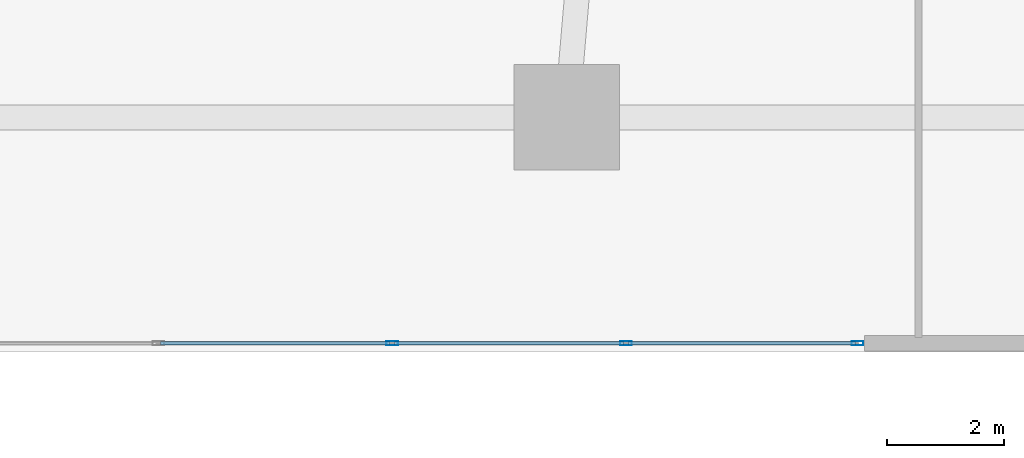
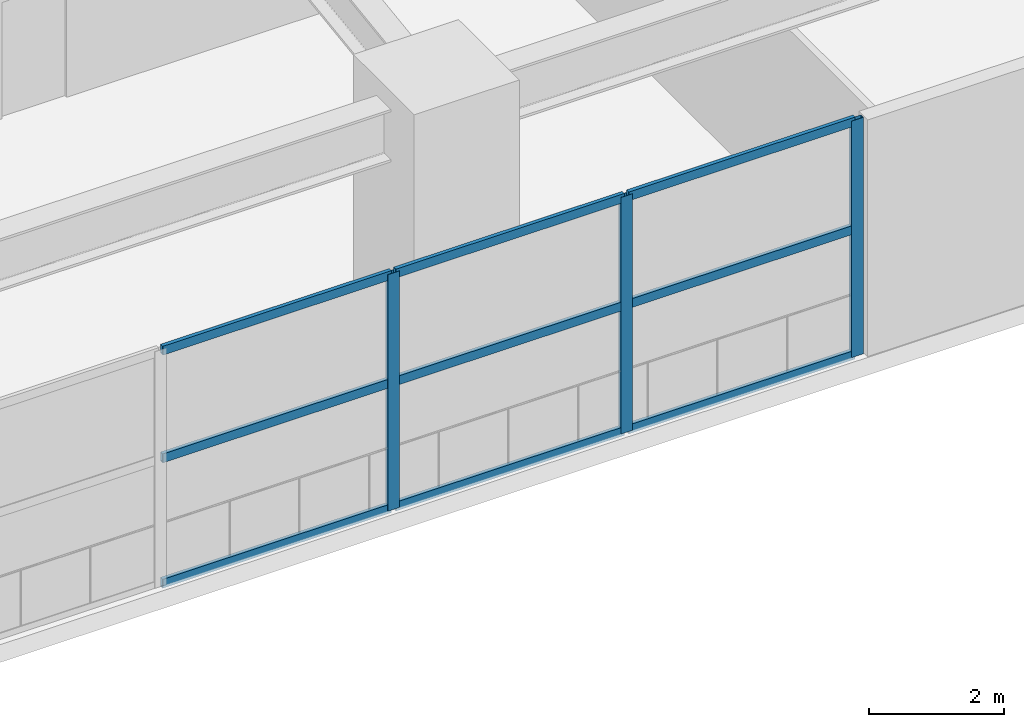
# One storey, part 5 of 25: 12 members, 1 element without a shape of its own.
"""IFC4 building model written with IfcOpenShell, lengths in metres."""

import ifcopenshell
import ifcopenshell.guid

model = None  # the IFC model being written
_history = None  # IfcOwnerHistory: only IFC2X3 demands one
_inside = {}  # id of a spatial element -> (the spatial element, [elements in it])
_under = {}  # id of a project, library or spatial element -> (it, [spatial elements below it])
_declared = {}  # id of a project -> (the project, [libraries it declares])
_typed = {}  # id of a type object -> (the type object, [elements of that type])
_made_of = {}  # id of a material, layer set ... -> (it, [elements and type objects made of it])


def new_model(schema):
    """Start an empty IFC model of exactly this schema.

    Asked for "IFC4X3", IfcOpenShell would pick the latest addendum, in which some entities
    have other attributes; the version numbers below select the first issue.
    IFC2X3 requires an IfcOwnerHistory on every rooted entity: one is made here for all.
    """
    global model, _history
    if schema == "IFC4X3":
        model = ifcopenshell.file(schema_version=(4, 3, 0, 0))
    else:
        model = ifcopenshell.file(schema=schema)
    _inside.clear()
    _under.clear()
    _declared.clear()
    _typed.clear()
    _made_of.clear()
    _history = None
    if model.schema == "IFC2X3":
        org = make("IfcOrganization", Name="unknown")
        user = make(
            "IfcPersonAndOrganization",
            ThePerson=make("IfcPerson", FamilyName="unknown"),
            TheOrganization=org,
        )
        app = make(
            "IfcApplication",
            ApplicationDeveloper=org,
            Version="unknown",
            ApplicationFullName="unknown",
            ApplicationIdentifier="unknown",
        )
        _history = make(
            "IfcOwnerHistory",
            OwningUser=user,
            OwningApplication=app,
            ChangeAction="ADDED",
            CreationDate=0,
        )
    return model


def make(cls, **values):
    """One entity of the class cls with the attributes given. An attribute that is None is left unset."""
    return model.create_entity(
        cls, **{name: value for name, value in values.items() if value is not None}
    )


def rooted(cls, **values):
    """An entity with a GlobalId (a new one), such as an element, a storey or a relation."""
    return make(cls, GlobalId=ifcopenshell.guid.new(), OwnerHistory=_history, **values)


def si_unit(unit_type, name, prefix=None):
    """IfcSIUnit, for example si_unit("LENGTHUNIT", "METRE", prefix="MILLI")."""
    return make("IfcSIUnit", UnitType=unit_type, Prefix=prefix, Name=name)


def assignment(units):
    """IfcUnitAssignment: the units of a project."""
    return None if units is None else make("IfcUnitAssignment", Units=units)


def point(xyz):
    """IfcCartesianPoint."""
    return None if xyz is None else make("IfcCartesianPoint", Coordinates=xyz)


def direction(xyz):
    """IfcDirection."""
    return None if xyz is None else make("IfcDirection", DirectionRatios=xyz)


def frame(location, z_axis=None, x_axis=None):
    """IfcAxis2Placement3D, a coordinate frame: its origin and axes. An axis left out is left unset."""
    return make(
        "IfcAxis2Placement3D",
        Location=point(location),
        Axis=direction(z_axis),
        RefDirection=direction(x_axis),
    )


def frame_2d(location, x_axis=None):
    """IfcAxis2Placement2D, a coordinate frame in the plane: its origin and x axis."""
    return make(
        "IfcAxis2Placement2D", Location=point(location), RefDirection=direction(x_axis)
    )


def origin():
    """The frame at (0, 0, 0) with its axes left unset."""
    return frame((0.0, 0.0, 0.0))


def origin_2d():
    """The frame at (0, 0) in the plane with its x axis left unset."""
    return frame_2d((0.0, 0.0))


def place(relative_to, where):
    """IfcLocalPlacement: puts the frame where relative to a parent placement (None: the world)."""
    return make(
        "IfcLocalPlacement", PlacementRelTo=relative_to, RelativePlacement=where
    )


def context(
    kind, dimensions, precision=None, world=None, true_north=None, identifier=None
):
    """IfcGeometricRepresentationContext, for example the 3D "Model" context."""
    return make(
        "IfcGeometricRepresentationContext",
        ContextIdentifier=identifier,
        ContextType=kind,
        CoordinateSpaceDimension=dimensions,
        Precision=precision,
        WorldCoordinateSystem=world,
        TrueNorth=true_north,
    )


def subcontext(parent, identifier, kind, view, scale=None):
    """IfcGeometricRepresentationSubContext, for example "Body" below "Model"."""
    return make(
        "IfcGeometricRepresentationSubContext",
        ContextIdentifier=identifier,
        ContextType=kind,
        ParentContext=parent,
        TargetScale=scale,
        TargetView=view,
    )


def project(units=None, contexts=None):
    """IfcProject with its units and contexts."""
    return rooted(
        "IfcProject",
        Name="project",
        RepresentationContexts=contexts,
        UnitsInContext=assignment(units),
    )


def spatial(cls, under=None, at=None, **own):
    """A site, building, storey or space (cls), placed at a placement, below another one or the project."""
    s = rooted(cls, ObjectPlacement=at, **own)
    if under is not None:
        _under.setdefault(under.id(), (under, []))[1].append(s)
    return s


def profile(cls, at=None, kind="AREA", **sizes):
    """A parametric profile (cls). Its sizes go by their IFC names, for example OverallWidth=200.0."""
    return make(cls, ProfileType=kind, Position=at, **sizes)


def hollow_rectangle(**sizes):
    """IfcRectangleHollowProfileDef."""
    return profile("IfcRectangleHollowProfileDef", **sizes)


def extrude(swept, where, along, depth):
    """IfcExtrudedAreaSolid: the profile swept, set in the frame where, extruded along a direction by depth."""
    return make(
        "IfcExtrudedAreaSolid",
        SweptArea=swept,
        Position=where,
        ExtrudedDirection=direction(along),
        Depth=depth,
    )


def shape(context_of_items, identifier, shape_type, items):
    """IfcShapeRepresentation: the items that make up one representation, for example the "Body"."""
    return make(
        "IfcShapeRepresentation",
        ContextOfItems=context_of_items,
        RepresentationIdentifier=identifier,
        RepresentationType=shape_type,
        Items=items,
    )


def material(Name=None, Category=None):
    """IfcMaterial."""
    return make("IfcMaterial", Name=Name, Category=Category)


def layer(
    of_material, thickness, ventilated=None, Name=None, Category=None, Priority=None
):
    """IfcMaterialLayer: one layer of a wall or slab, of a material (None: an air gap)."""
    return make(
        "IfcMaterialLayer",
        Material=of_material,
        LayerThickness=thickness,
        IsVentilated=ventilated,
        Name=Name,
        Category=Category,
        Priority=Priority,
    )


def layer_set(layers, Name=None):
    """IfcMaterialLayerSet."""
    return make("IfcMaterialLayerSet", MaterialLayers=layers, LayerSetName=Name)


def material_profile(
    of_material, cross_section, Name=None, Category=None, Priority=None
):
    """IfcMaterialProfile: a cross section and its material."""
    return make(
        "IfcMaterialProfile",
        Name=Name,
        Material=of_material,
        Profile=cross_section,
        Priority=Priority,
        Category=Category,
    )


def profile_set(profiles, Name=None, composite=None):
    """IfcMaterialProfileSet."""
    return make(
        "IfcMaterialProfileSet",
        Name=Name,
        MaterialProfiles=profiles,
        CompositeProfile=composite,
    )


def made_of(thing, what):
    """Note that an element or type object is made of a material, layer set ...; save() writes the relation."""
    if what is not None:
        _made_of.setdefault(what.id(), (what, []))[1].append(thing)
    return thing


def type_object(cls, material=None, **own):
    """A type object (cls), such as IfcWallType, which elements share."""
    return made_of(rooted(cls, **own), material)


def element(
    cls,
    number,
    at=None,
    inside=None,
    cuts=None,
    type_object=None,
    material=None,
    context=None,
    identifier="Body",
    shape_type=None,
    held_by="IfcProductDefinitionShape",
    body=None,
    shapes=None,
    **own,
):
    """One element of the class cls, such as IfcWall. Its Tag is "e" and its number.

    at: its placement. inside: the storey or other place that contains it. cuts: it is an
    opening in that element (IfcRelVoidsElement). A single representation is given by context,
    identifier, shape_type and body (its items); several are given by shapes. held_by: the class
    of the entity that holds the representations. save() writes the other relations.
    """
    e = rooted(cls, Tag="e%d" % number, ObjectPlacement=at, **own)
    if body is not None:
        shapes = [shape(context, identifier, shape_type, body)]
    if shapes is not None:
        e.Representation = make(held_by, Representations=shapes)
    if inside is not None:
        _inside.setdefault(inside.id(), (inside, []))[1].append(e)
    if cuts is not None:
        rooted(
            "IfcRelVoidsElement", RelatingBuildingElement=cuts, RelatedOpeningElement=e
        )
    if type_object is not None:
        _typed.setdefault(type_object.id(), (type_object, []))[1].append(e)
    return made_of(e, material)


def aggregate(whole, parts):
    """IfcRelAggregates: a whole, such as a stair, and the parts it consists of."""
    return rooted("IfcRelAggregates", RelatingObject=whole, RelatedObjects=parts)


def save(model, path):
    """Write the relations noted so far, then the file.

    IfcRelAggregates (storeys below a building ...), IfcRelContainedInSpatialStructure (elements
    in a storey), IfcRelDefinesByType, IfcRelAssociatesMaterial and IfcRelDeclares: one each for
    every whole, place, type object, material and project.
    """
    for whole, parts in _under.values():
        aggregate(whole, parts)
    for where, things in _inside.values():
        rooted(
            "IfcRelContainedInSpatialStructure",
            RelatedElements=things,
            RelatingStructure=where,
        )
    for kind, things in _typed.values():
        rooted("IfcRelDefinesByType", RelatedObjects=things, RelatingType=kind)
    for what, things in _made_of.values():
        rooted("IfcRelAssociatesMaterial", RelatedObjects=things, RelatingMaterial=what)
    for by, libraries in _declared.values():
        rooted("IfcRelDeclares", RelatingContext=by, RelatedDefinitions=libraries)
    model.write(path)


model = new_model("IFC4")

# Units and contexts
model_context = context("Model", 3, precision=1e-05, world=origin(), true_north=direction((0.0, 1.0)))
body_context = subcontext(model_context, "Body", "Model", "MODEL_VIEW")
ifc_project = project(units=[si_unit("LENGTHUNIT", "METRE"), si_unit("AREAUNIT", "SQUARE_METRE"), si_unit("VOLUMEUNIT", "CUBIC_METRE"), si_unit("PLANEANGLEUNIT", "RADIAN"), si_unit("MASSUNIT", "GRAM", prefix="KILO")], contexts=[model_context])

# Site, building, storey
site_placement = place(None, origin())
site = spatial("IfcSite", under=ifc_project, at=site_placement, CompositionType="ELEMENT")
building_placement = place(site_placement, origin())
building = spatial("IfcBuilding", under=site, at=building_placement, Name="Solvane Sanctuary Tower", CompositionType="ELEMENT")
storey_placement = place(building_placement, frame((0.0, 0.0, 13.800048828125)))
storey = spatial("IfcBuildingStorey", under=building, at=storey_placement, Name="L04", CompositionType="ELEMENT", Elevation=13.800048828125)

# Curtain wall, members
ifc_material = material(Name="Anodised Aluminium 6063-T6", Category="aluminium")
ifc_layer = layer(ifc_material, 0.159912109375, Name="Anodised Aluminium 6063-T6")
ifc_layer_set = layer_set([ifc_layer], Name="Anodised Aluminium 6063-T6")
curtain_wall_type = type_object("IfcCurtainWallType", Name="Curtain Wall CW-POD", PredefinedType="NOTDEFINED", material=ifc_layer_set)
curtain_wall_placement = place(storey_placement, origin())
curtain_wall = element("IfcCurtainWall", 1, at=curtain_wall_placement, inside=storey, type_object=curtain_wall_type, Name="L04 Sanctuary Curtain Wall S2", PredefinedType="NOTDEFINED")
ifc_material_profile_1 = material_profile(ifc_material, hollow_rectangle(XDim=0.074951171875, YDim=0.199951171875, WallThickness=0.00390625, at=origin_2d()), Name="ALU200X75X4")
ifc_profile_set_1 = profile_set([ifc_material_profile_1], Name="Anodised Aluminium 6063-T6")
member_type_1 = type_object("IfcMemberType", Name="Member M-CW-MUL-1 ALU200X75X4", PredefinedType="MULLION", material=ifc_profile_set_1)
member_1_placement = place(storey_placement, frame((36.026611328125, 0.14990234375, 0.0), z_axis=(0.0, 0.0, 1.0), x_axis=(0.0, 1.0, 0.0)))
member_1 = element("IfcMember", 2, at=member_1_placement, type_object=member_type_1, Name="CW-POD mullion 5", PredefinedType="MULLION", context=body_context, shape_type="SweptSolid", body=[
    extrude(hollow_rectangle(XDim=0.074951171875, YDim=0.199951171875, WallThickness=0.00390625, at=origin_2d()), origin(), (0.0, 0.0, 1.0), 4.280029296875),
])
member_2_placement = place(storey_placement, frame((40.013427734375, 0.14990234375, 0.0), z_axis=(0.0, 0.0, 1.0), x_axis=(0.0, 1.0, 0.0)))
member_2 = element("IfcMember", 3, at=member_2_placement, type_object=member_type_1, Name="CW-POD mullion 6", PredefinedType="MULLION", context=body_context, shape_type="SweptSolid", body=[
    extrude(hollow_rectangle(XDim=0.074951171875, YDim=0.199951171875, WallThickness=0.00390625, at=origin_2d()), origin(), (0.0, 0.0, 1.0), 4.280029296875),
])
member_3_placement = place(storey_placement, frame((43.96240234375, 0.14990234375, 0.0), z_axis=(0.0, 0.0, 1.0), x_axis=(0.0, 1.0, 0.0)))
member_3 = element("IfcMember", 4, at=member_3_placement, type_object=member_type_1, Name="CW-POD mullion 7", PredefinedType="MULLION", context=body_context, shape_type="SweptSolid", body=[
    extrude(hollow_rectangle(XDim=0.074951171875, YDim=0.199951171875, WallThickness=0.00390625, at=origin_2d()), origin(), (0.0, 0.0, 1.0), 4.280029296875),
])
ifc_material_profile_2 = material_profile(ifc_material, hollow_rectangle(XDim=0.06494140625, YDim=0.159912109375, WallThickness=0.00341796875, at=origin_2d()), Name="ALU160X65X3.5")
ifc_profile_set_2 = profile_set([ifc_material_profile_2], Name="Anodised Aluminium 6063-T6")
member_type_2 = type_object("IfcMemberType", Name="Member M-CW-TRN-1 ALU160X65X3.5", PredefinedType="USERDEFINED", material=ifc_profile_set_2)
member_4_placement = place(storey_placement, frame((32.077392578125, 0.14990234375, 0.032470703125), z_axis=(1.0, 0.0, 0.0), x_axis=(0.0, 1.0, 0.0)))
member_4 = element("IfcMember", 5, at=member_4_placement, type_object=member_type_2, Name="CW-POD transom 4.1", ObjectType="TRANSOM", PredefinedType="USERDEFINED", context=body_context, shape_type="SweptSolid", body=[
    extrude(hollow_rectangle(XDim=0.06494140625, YDim=0.159912109375, WallThickness=0.00341796875, at=origin_2d()), origin(), (0.0, 0.0, 1.0), 3.911865234375),
])
member_5_placement = place(storey_placement, frame((32.077392578125, 0.14990234375, 2.300048828125), z_axis=(1.0, 0.0, 0.0), x_axis=(0.0, 1.0, 0.0)))
member_5 = element("IfcMember", 6, at=member_5_placement, type_object=member_type_2, Name="CW-POD transom 4.2", ObjectType="TRANSOM", PredefinedType="USERDEFINED", context=body_context, shape_type="SweptSolid", body=[
    extrude(hollow_rectangle(XDim=0.06494140625, YDim=0.159912109375, WallThickness=0.00341796875, at=origin_2d()), origin(), (0.0, 0.0, 1.0), 3.911865234375),
])
member_6_placement = place(storey_placement, frame((32.077392578125, 0.14990234375, 4.24755859375), z_axis=(1.0, 0.0, 0.0), x_axis=(0.0, 1.0, 0.0)))
member_6 = element("IfcMember", 7, at=member_6_placement, type_object=member_type_2, Name="CW-POD transom 4.3", ObjectType="TRANSOM", PredefinedType="USERDEFINED", context=body_context, shape_type="SweptSolid", body=[
    extrude(hollow_rectangle(XDim=0.06494140625, YDim=0.159912109375, WallThickness=0.00341796875, at=origin_2d()), origin(), (0.0, 0.0, 1.0), 3.911865234375),
])
member_7_placement = place(storey_placement, frame((36.064208984375, 0.14990234375, 0.032470703125), z_axis=(1.0, 0.0, 0.0), x_axis=(0.0, 1.0, 0.0)))
member_7 = element("IfcMember", 8, at=member_7_placement, type_object=member_type_2, Name="CW-POD transom 5.1", ObjectType="TRANSOM", PredefinedType="USERDEFINED", context=body_context, shape_type="SweptSolid", body=[
    extrude(hollow_rectangle(XDim=0.06494140625, YDim=0.159912109375, WallThickness=0.00341796875, at=origin_2d()), origin(), (0.0, 0.0, 1.0), 3.91162109375),
])
member_8_placement = place(storey_placement, frame((36.064208984375, 0.14990234375, 2.300048828125), z_axis=(1.0, 0.0, 0.0), x_axis=(0.0, 1.0, 0.0)))
member_8 = element("IfcMember", 9, at=member_8_placement, type_object=member_type_2, Name="CW-POD transom 5.2", ObjectType="TRANSOM", PredefinedType="USERDEFINED", context=body_context, shape_type="SweptSolid", body=[
    extrude(hollow_rectangle(XDim=0.06494140625, YDim=0.159912109375, WallThickness=0.00341796875, at=origin_2d()), origin(), (0.0, 0.0, 1.0), 3.91162109375),
])
member_9_placement = place(storey_placement, frame((36.064208984375, 0.14990234375, 4.24755859375), z_axis=(1.0, 0.0, 0.0), x_axis=(0.0, 1.0, 0.0)))
member_9 = element("IfcMember", 10, at=member_9_placement, type_object=member_type_2, Name="CW-POD transom 5.3", ObjectType="TRANSOM", PredefinedType="USERDEFINED", context=body_context, shape_type="SweptSolid", body=[
    extrude(hollow_rectangle(XDim=0.06494140625, YDim=0.159912109375, WallThickness=0.00341796875, at=origin_2d()), origin(), (0.0, 0.0, 1.0), 3.91162109375),
])
member_10_placement = place(storey_placement, frame((40.05078125, 0.14990234375, 0.032470703125), z_axis=(1.0, 0.0, 0.0), x_axis=(0.0, 1.0, 0.0)))
member_10 = element("IfcMember", 11, at=member_10_placement, type_object=member_type_2, Name="CW-POD transom 6.1", ObjectType="TRANSOM", PredefinedType="USERDEFINED", context=body_context, shape_type="SweptSolid", body=[
    extrude(hollow_rectangle(XDim=0.06494140625, YDim=0.159912109375, WallThickness=0.00341796875, at=origin_2d()), origin(), (0.0, 0.0, 1.0), 3.874267578125),
])
member_11_placement = place(storey_placement, frame((40.05078125, 0.14990234375, 2.300048828125), z_axis=(1.0, 0.0, 0.0), x_axis=(0.0, 1.0, 0.0)))
member_11 = element("IfcMember", 12, at=member_11_placement, type_object=member_type_2, Name="CW-POD transom 6.2", ObjectType="TRANSOM", PredefinedType="USERDEFINED", context=body_context, shape_type="SweptSolid", body=[
    extrude(hollow_rectangle(XDim=0.06494140625, YDim=0.159912109375, WallThickness=0.00341796875, at=origin_2d()), origin(), (0.0, 0.0, 1.0), 3.874267578125),
])
member_12_placement = place(storey_placement, frame((40.05078125, 0.14990234375, 4.24755859375), z_axis=(1.0, 0.0, 0.0), x_axis=(0.0, 1.0, 0.0)))
member_12 = element("IfcMember", 13, at=member_12_placement, type_object=member_type_2, Name="CW-POD transom 6.3", ObjectType="TRANSOM", PredefinedType="USERDEFINED", context=body_context, shape_type="SweptSolid", body=[
    extrude(hollow_rectangle(XDim=0.06494140625, YDim=0.159912109375, WallThickness=0.00341796875, at=origin_2d()), origin(), (0.0, 0.0, 1.0), 3.874267578125),
])
aggregate(curtain_wall, [member_1, member_2, member_3, member_4, member_5, member_6, member_7, member_8, member_9, member_10, member_11, member_12])

save(model, "model.ifc")
